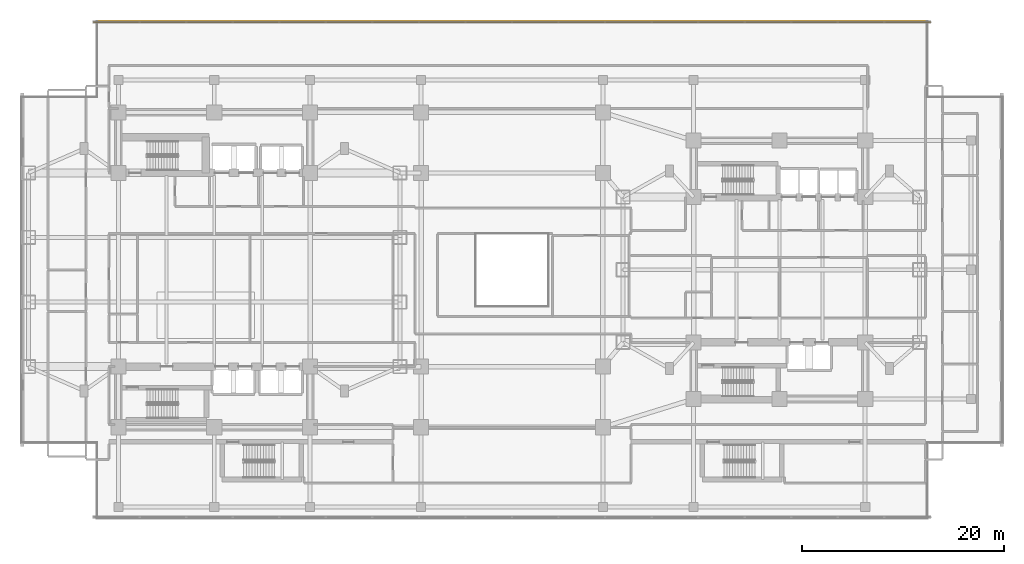
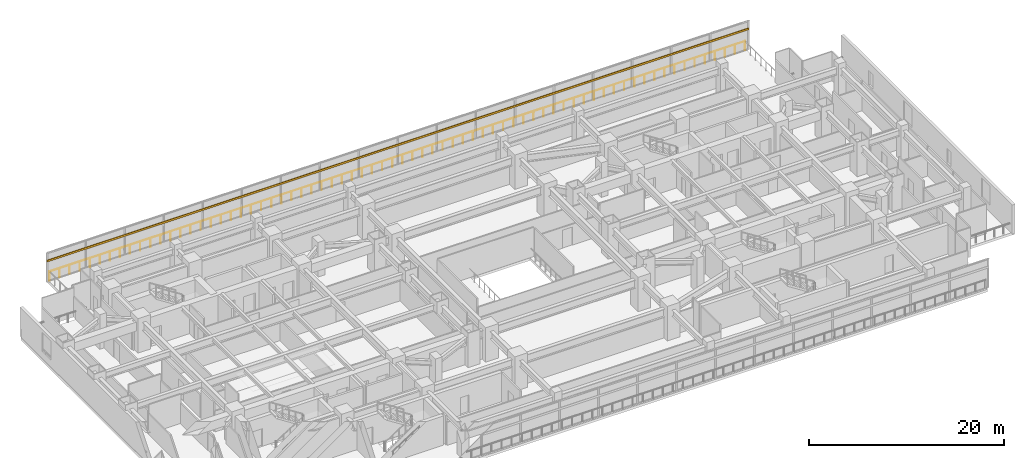
# One storey, part 23 of 26: 1 railing, 1 shading device.
"""IFC4 building model written with IfcOpenShell, lengths in metres."""

from ifc_helpers import new_model, si_unit, direction, frame, origin, origin_2d, place, context, subcontext, project, spatial, rectangle, circle, extrude, material, material_profile, profile_set, type_object, element, save


model = new_model("IFC4")

# Units and contexts
model_context = context("Model", 3, precision=1e-05, world=origin(), true_north=direction((0.0, 1.0)))
body_context = subcontext(model_context, "Body", "Model", "MODEL_VIEW")
ifc_project = project(units=[si_unit("LENGTHUNIT", "METRE"), si_unit("AREAUNIT", "SQUARE_METRE"), si_unit("VOLUMEUNIT", "CUBIC_METRE"), si_unit("PLANEANGLEUNIT", "RADIAN"), si_unit("MASSUNIT", "GRAM", prefix="KILO")], contexts=[model_context])

# Site, building, storey
site_placement = place(None, origin())
site = spatial("IfcSite", under=ifc_project, at=site_placement, CompositionType="ELEMENT")
building_placement = place(site_placement, origin())
building = spatial("IfcBuilding", under=site, at=building_placement, Name="Mirazonda Arch Towers", CompositionType="ELEMENT")
storey_placement = place(building_placement, frame((0.0, 0.0, 13.800048828125)))
storey = spatial("IfcBuildingStorey", under=building, at=storey_placement, Name="L03", CompositionType="ELEMENT", Elevation=13.800048828125)

# Shading device
ifc_material_1 = material(Name="Kiln-Fired Architectural Terracotta", Category="masonry")
ifc_material_profile = material_profile(ifc_material_1, rectangle(XDim=0.1201171875, YDim=0.239990234375, at=origin_2d()), Name="TERRA-BAG-120x240")
ifc_profile_set = profile_set([ifc_material_profile], Name="Kiln-Fired Architectural Terracotta")
shading_device_type = type_object("IfcShadingDeviceType", Name="BAGUETTE-1", PredefinedType="USERDEFINED", material=ifc_profile_set)
shading_device_placement = place(storey_placement, frame((8.5, 52.530029296875, 2.613525390625), z_axis=(1.0, 0.0, 0.0), x_axis=(0.0, 1.0, 0.0)))
element("IfcShadingDevice", 1, at=shading_device_placement, inside=storey, type_object=shading_device_type, Name="L03 Glazed Terracotta Sun-Screen Baguette CW-L03-N1", ObjectType="BAGUETTE", PredefinedType="USERDEFINED", context=body_context, shape_type="SweptSolid", body=[
    extrude(rectangle(XDim=0.1201171875, YDim=0.239990234375, at=origin_2d()), origin(), (0.0, 0.0, 1.0), 83.0),
])

# Railing
ifc_material_2 = material(Name="Architectural Brushed Steel S355", Category="steel")
railing_type = type_object("IfcRailingType", Name="GUARD-EXT-1150", PredefinedType="GUARDRAIL", material=ifc_material_2)
railing_placement = place(storey_placement, frame((91.110107421875, 52.610107421875, 0.0)))
element("IfcRailing", 2, at=railing_placement, inside=storey, type_object=railing_type, Name="L03 L03 Bridged Podium Perimeter Guard 07", PredefinedType="GUARDRAIL", context=body_context, shape_type="SweptSolid", body=[
    extrude(circle(Radius=0.02392578125, at=origin_2d()), frame((0.0, 0.0, 1.1259765625), z_axis=(-1.0, 0.0, 0.0), x_axis=(0.0, -1.0, 0.0)), (0.0, 0.0, 1.0), 82.22021484375),
    extrude(circle(Radius=0.02099609375, at=origin_2d()), origin(), (0.0, 0.0, 1.0), 1.101806640625),
    extrude(circle(Radius=0.02099609375, at=origin_2d()), frame((-1.191650390625, 0.0, 0.0)), (0.0, 0.0, 1.0), 1.101806640625),
    extrude(circle(Radius=0.02099609375, at=origin_2d()), frame((-2.38330078125, 0.0, 0.0)), (0.0, 0.0, 1.0), 1.101806640625),
    extrude(circle(Radius=0.02099609375, at=origin_2d()), frame((-3.57470703125, 0.0, 0.0)), (0.0, 0.0, 1.0), 1.101806640625),
    extrude(circle(Radius=0.02099609375, at=origin_2d()), frame((-4.766357421875, 0.0, 0.0)), (0.0, 0.0, 1.0), 1.101806640625),
    extrude(circle(Radius=0.02099609375, at=origin_2d()), frame((-5.9580078125, 0.0, 0.0)), (0.0, 0.0, 1.0), 1.101806640625),
    extrude(circle(Radius=0.02099609375, at=origin_2d()), frame((-7.149658203125, 0.0, 0.0)), (0.0, 0.0, 1.0), 1.101806640625),
    extrude(circle(Radius=0.02099609375, at=origin_2d()), frame((-8.341064453125, 0.0, 0.0)), (0.0, 0.0, 1.0), 1.101806640625),
    extrude(circle(Radius=0.02099609375, at=origin_2d()), frame((-9.53271484375, 0.0, 0.0)), (0.0, 0.0, 1.0), 1.101806640625),
    extrude(circle(Radius=0.02099609375, at=origin_2d()), frame((-10.724365234375, 0.0, 0.0)), (0.0, 0.0, 1.0), 1.101806640625),
    extrude(circle(Radius=0.02099609375, at=origin_2d()), frame((-11.916015625, 0.0, 0.0)), (0.0, 0.0, 1.0), 1.101806640625),
    extrude(circle(Radius=0.02099609375, at=origin_2d()), frame((-13.107666015625, 0.0, 0.0)), (0.0, 0.0, 1.0), 1.101806640625),
    extrude(circle(Radius=0.02099609375, at=origin_2d()), frame((-14.299072265625, 0.0, 0.0)), (0.0, 0.0, 1.0), 1.101806640625),
    extrude(circle(Radius=0.02099609375, at=origin_2d()), frame((-15.49072265625, 0.0, 0.0)), (0.0, 0.0, 1.0), 1.101806640625),
    extrude(circle(Radius=0.02099609375, at=origin_2d()), frame((-16.682373046875, 0.0, 0.0)), (0.0, 0.0, 1.0), 1.101806640625),
    extrude(circle(Radius=0.02099609375, at=origin_2d()), frame((-17.8740234375, 0.0, 0.0)), (0.0, 0.0, 1.0), 1.101806640625),
    extrude(circle(Radius=0.02099609375, at=origin_2d()), frame((-19.065673828125, 0.0, 0.0)), (0.0, 0.0, 1.0), 1.101806640625),
    extrude(circle(Radius=0.02099609375, at=origin_2d()), frame((-20.257080078125, 0.0, 0.0)), (0.0, 0.0, 1.0), 1.101806640625),
    extrude(circle(Radius=0.02099609375, at=origin_2d()), frame((-21.44873046875, 0.0, 0.0)), (0.0, 0.0, 1.0), 1.101806640625),
    extrude(circle(Radius=0.02099609375, at=origin_2d()), frame((-22.640380859375, 0.0, 0.0)), (0.0, 0.0, 1.0), 1.101806640625),
    extrude(circle(Radius=0.02099609375, at=origin_2d()), frame((-23.83203125, 0.0, 0.0)), (0.0, 0.0, 1.0), 1.101806640625),
    extrude(circle(Radius=0.02099609375, at=origin_2d()), frame((-25.0234375, 0.0, 0.0)), (0.0, 0.0, 1.0), 1.101806640625),
    extrude(circle(Radius=0.02099609375, at=origin_2d()), frame((-26.215087890625, 0.0, 0.0)), (0.0, 0.0, 1.0), 1.101806640625),
    extrude(circle(Radius=0.02099609375, at=origin_2d()), frame((-27.40673828125, 0.0, 0.0)), (0.0, 0.0, 1.0), 1.101806640625),
    extrude(circle(Radius=0.02099609375, at=origin_2d()), frame((-28.598388671875, 0.0, 0.0)), (0.0, 0.0, 1.0), 1.101806640625),
    extrude(circle(Radius=0.02099609375, at=origin_2d()), frame((-29.7900390625, 0.0, 0.0)), (0.0, 0.0, 1.0), 1.101806640625),
    extrude(circle(Radius=0.02099609375, at=origin_2d()), frame((-30.9814453125, 0.0, 0.0)), (0.0, 0.0, 1.0), 1.101806640625),
    extrude(circle(Radius=0.02099609375, at=origin_2d()), frame((-32.173095703125, 0.0, 0.0)), (0.0, 0.0, 1.0), 1.101806640625),
    extrude(circle(Radius=0.02099609375, at=origin_2d()), frame((-33.36474609375, 0.0, 0.0)), (0.0, 0.0, 1.0), 1.101806640625),
    extrude(circle(Radius=0.02099609375, at=origin_2d()), frame((-34.556396484375, 0.0, 0.0)), (0.0, 0.0, 1.0), 1.101806640625),
    extrude(circle(Radius=0.02099609375, at=origin_2d()), frame((-35.747802734375, 0.0, 0.0)), (0.0, 0.0, 1.0), 1.101806640625),
    extrude(circle(Radius=0.02099609375, at=origin_2d()), frame((-36.939453125, 0.0, 0.0)), (0.0, 0.0, 1.0), 1.101806640625),
    extrude(circle(Radius=0.02099609375, at=origin_2d()), frame((-38.131103515625, 0.0, 0.0)), (0.0, 0.0, 1.0), 1.101806640625),
    extrude(circle(Radius=0.02099609375, at=origin_2d()), frame((-39.32275390625, 0.0, 0.0)), (0.0, 0.0, 1.0), 1.101806640625),
    extrude(circle(Radius=0.02099609375, at=origin_2d()), frame((-40.514404296875, 0.0, 0.0)), (0.0, 0.0, 1.0), 1.101806640625),
    extrude(circle(Radius=0.02099609375, at=origin_2d()), frame((-41.705810546875, 0.0, 0.0)), (0.0, 0.0, 1.0), 1.101806640625),
    extrude(circle(Radius=0.02099609375, at=origin_2d()), frame((-42.8974609375, 0.0, 0.0)), (0.0, 0.0, 1.0), 1.101806640625),
    extrude(circle(Radius=0.02099609375, at=origin_2d()), frame((-44.089111328125, 0.0, 0.0)), (0.0, 0.0, 1.0), 1.101806640625),
    extrude(circle(Radius=0.02099609375, at=origin_2d()), frame((-45.28076171875, 0.0, 0.0)), (0.0, 0.0, 1.0), 1.101806640625),
    extrude(circle(Radius=0.02099609375, at=origin_2d()), frame((-46.472412109375, 0.0, 0.0)), (0.0, 0.0, 1.0), 1.101806640625),
    extrude(circle(Radius=0.02099609375, at=origin_2d()), frame((-47.663818359375, 0.0, 0.0)), (0.0, 0.0, 1.0), 1.101806640625),
    extrude(circle(Radius=0.02099609375, at=origin_2d()), frame((-48.85546875, 0.0, 0.0)), (0.0, 0.0, 1.0), 1.101806640625),
    extrude(circle(Radius=0.02099609375, at=origin_2d()), frame((-50.047119140625, 0.0, 0.0)), (0.0, 0.0, 1.0), 1.101806640625),
    extrude(circle(Radius=0.02099609375, at=origin_2d()), frame((-51.23876953125, 0.0, 0.0)), (0.0, 0.0, 1.0), 1.101806640625),
    extrude(circle(Radius=0.02099609375, at=origin_2d()), frame((-52.43017578125, 0.0, 0.0)), (0.0, 0.0, 1.0), 1.101806640625),
    extrude(circle(Radius=0.02099609375, at=origin_2d()), frame((-53.621826171875, 0.0, 0.0)), (0.0, 0.0, 1.0), 1.101806640625),
    extrude(circle(Radius=0.02099609375, at=origin_2d()), frame((-54.8134765625, 0.0, 0.0)), (0.0, 0.0, 1.0), 1.101806640625),
    extrude(circle(Radius=0.02099609375, at=origin_2d()), frame((-56.005126953125, 0.0, 0.0)), (0.0, 0.0, 1.0), 1.101806640625),
    extrude(circle(Radius=0.02099609375, at=origin_2d()), frame((-57.19677734375, 0.0, 0.0)), (0.0, 0.0, 1.0), 1.101806640625),
    extrude(circle(Radius=0.02099609375, at=origin_2d()), frame((-58.38818359375, 0.0, 0.0)), (0.0, 0.0, 1.0), 1.101806640625),
    extrude(circle(Radius=0.02099609375, at=origin_2d()), frame((-59.579833984375, 0.0, 0.0)), (0.0, 0.0, 1.0), 1.101806640625),
    extrude(circle(Radius=0.02099609375, at=origin_2d()), frame((-60.771484375, 0.0, 0.0)), (0.0, 0.0, 1.0), 1.101806640625),
    extrude(circle(Radius=0.02099609375, at=origin_2d()), frame((-61.963134765625, 0.0, 0.0)), (0.0, 0.0, 1.0), 1.101806640625),
    extrude(circle(Radius=0.02099609375, at=origin_2d()), frame((-63.154541015625, 0.0, 0.0)), (0.0, 0.0, 1.0), 1.101806640625),
    extrude(circle(Radius=0.02099609375, at=origin_2d()), frame((-64.34619140625, 0.0, 0.0)), (0.0, 0.0, 1.0), 1.101806640625),
    extrude(circle(Radius=0.02099609375, at=origin_2d()), frame((-65.537841796875, 0.0, 0.0)), (0.0, 0.0, 1.0), 1.101806640625),
    extrude(circle(Radius=0.02099609375, at=origin_2d()), frame((-66.7294921875, 0.0, 0.0)), (0.0, 0.0, 1.0), 1.101806640625),
    extrude(circle(Radius=0.02099609375, at=origin_2d()), frame((-67.921142578125, 0.0, 0.0)), (0.0, 0.0, 1.0), 1.101806640625),
    extrude(circle(Radius=0.02099609375, at=origin_2d()), frame((-69.112548828125, 0.0, 0.0)), (0.0, 0.0, 1.0), 1.101806640625),
    extrude(circle(Radius=0.02099609375, at=origin_2d()), frame((-70.30419921875, 0.0, 0.0)), (0.0, 0.0, 1.0), 1.101806640625),
    extrude(circle(Radius=0.02099609375, at=origin_2d()), frame((-71.495849609375, 0.0, 0.0)), (0.0, 0.0, 1.0), 1.101806640625),
    extrude(circle(Radius=0.02099609375, at=origin_2d()), frame((-72.6875, 0.0, 0.0)), (0.0, 0.0, 1.0), 1.101806640625),
    extrude(circle(Radius=0.02099609375, at=origin_2d()), frame((-73.879150390625, 0.0, 0.0)), (0.0, 0.0, 1.0), 1.101806640625),
    extrude(circle(Radius=0.02099609375, at=origin_2d()), frame((-75.070556640625, 0.0, 0.0)), (0.0, 0.0, 1.0), 1.101806640625),
    extrude(circle(Radius=0.02099609375, at=origin_2d()), frame((-76.26220703125, 0.0, 0.0)), (0.0, 0.0, 1.0), 1.101806640625),
    extrude(circle(Radius=0.02099609375, at=origin_2d()), frame((-77.453857421875, 0.0, 0.0)), (0.0, 0.0, 1.0), 1.101806640625),
    extrude(circle(Radius=0.02099609375, at=origin_2d()), frame((-78.6455078125, 0.0, 0.0)), (0.0, 0.0, 1.0), 1.101806640625),
    extrude(circle(Radius=0.02099609375, at=origin_2d()), frame((-79.8369140625, 0.0, 0.0)), (0.0, 0.0, 1.0), 1.101806640625),
    extrude(circle(Radius=0.02099609375, at=origin_2d()), frame((-81.028564453125, 0.0, 0.0)), (0.0, 0.0, 1.0), 1.101806640625),
    extrude(circle(Radius=0.02099609375, at=origin_2d()), frame((-82.22021484375, 0.0, 0.0)), (0.0, 0.0, 1.0), 1.101806640625),
])

save(model, "model.ifc")
